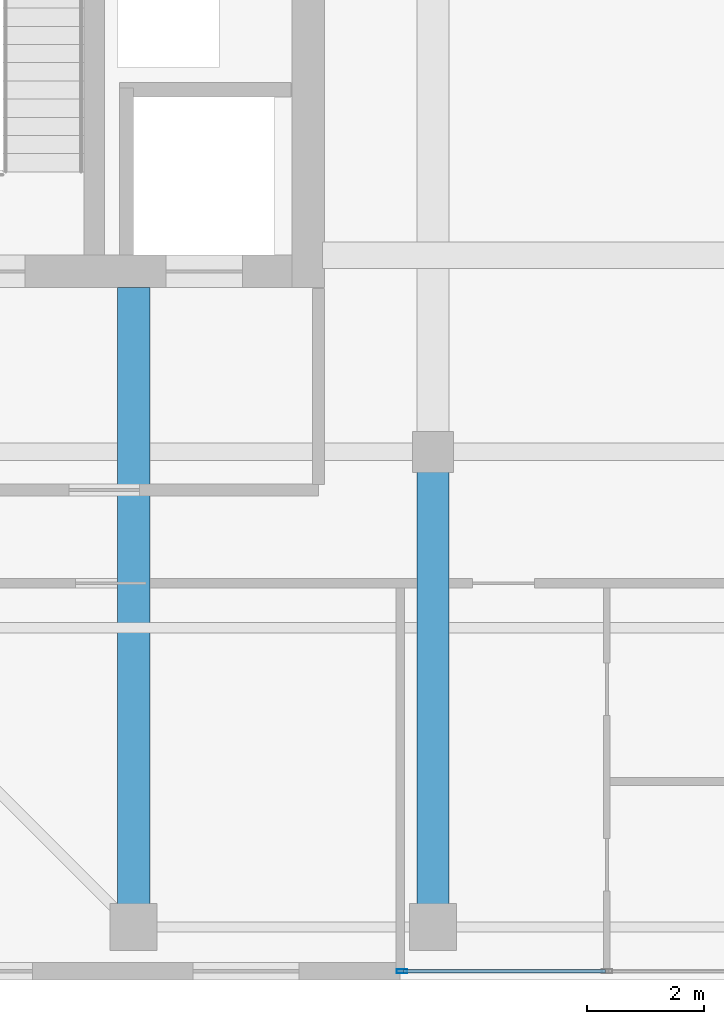
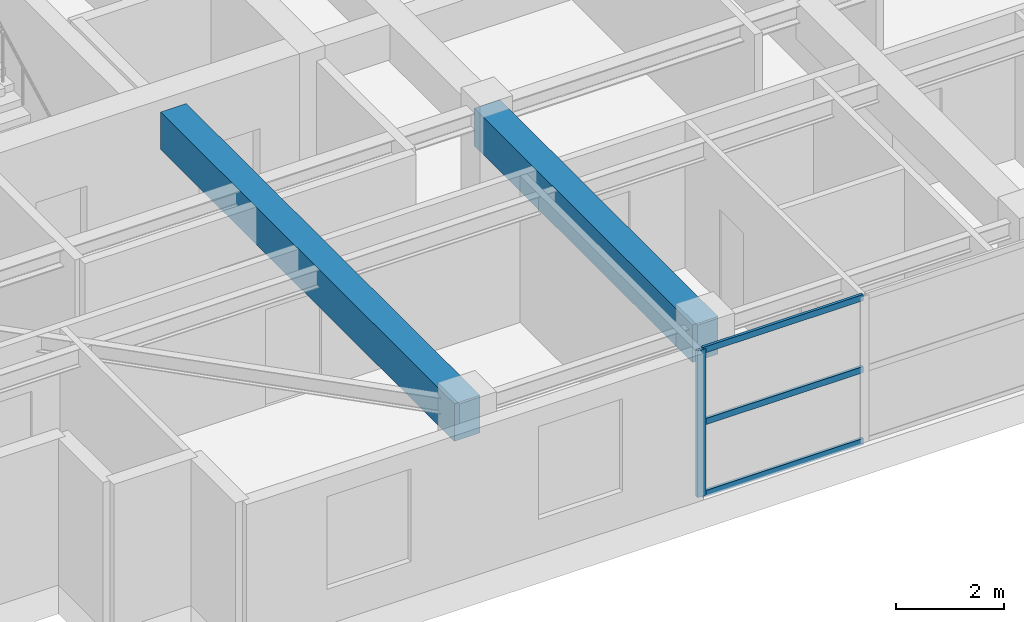
# One storey, part 2 of 21: 4 members, 2 beams, 1 element without a shape of its own.
"""IFC4 building model written with IfcOpenShell, lengths in metres."""

import ifcopenshell
import ifcopenshell.guid

model = None  # the IFC model being written
_history = None  # IfcOwnerHistory: only IFC2X3 demands one
_inside = {}  # id of a spatial element -> (the spatial element, [elements in it])
_under = {}  # id of a project, library or spatial element -> (it, [spatial elements below it])
_declared = {}  # id of a project -> (the project, [libraries it declares])
_typed = {}  # id of a type object -> (the type object, [elements of that type])
_made_of = {}  # id of a material, layer set ... -> (it, [elements and type objects made of it])


def new_model(schema):
    """Start an empty IFC model of exactly this schema.

    Asked for "IFC4X3", IfcOpenShell would pick the latest addendum, in which some entities
    have other attributes; the version numbers below select the first issue.
    IFC2X3 requires an IfcOwnerHistory on every rooted entity: one is made here for all.
    """
    global model, _history
    if schema == "IFC4X3":
        model = ifcopenshell.file(schema_version=(4, 3, 0, 0))
    else:
        model = ifcopenshell.file(schema=schema)
    _inside.clear()
    _under.clear()
    _declared.clear()
    _typed.clear()
    _made_of.clear()
    _history = None
    if model.schema == "IFC2X3":
        org = make("IfcOrganization", Name="unknown")
        user = make(
            "IfcPersonAndOrganization",
            ThePerson=make("IfcPerson", FamilyName="unknown"),
            TheOrganization=org,
        )
        app = make(
            "IfcApplication",
            ApplicationDeveloper=org,
            Version="unknown",
            ApplicationFullName="unknown",
            ApplicationIdentifier="unknown",
        )
        _history = make(
            "IfcOwnerHistory",
            OwningUser=user,
            OwningApplication=app,
            ChangeAction="ADDED",
            CreationDate=0,
        )
    return model


def make(cls, **values):
    """One entity of the class cls with the attributes given. An attribute that is None is left unset."""
    return model.create_entity(
        cls, **{name: value for name, value in values.items() if value is not None}
    )


def rooted(cls, **values):
    """An entity with a GlobalId (a new one), such as an element, a storey or a relation."""
    return make(cls, GlobalId=ifcopenshell.guid.new(), OwnerHistory=_history, **values)


def si_unit(unit_type, name, prefix=None):
    """IfcSIUnit, for example si_unit("LENGTHUNIT", "METRE", prefix="MILLI")."""
    return make("IfcSIUnit", UnitType=unit_type, Prefix=prefix, Name=name)


def assignment(units):
    """IfcUnitAssignment: the units of a project."""
    return None if units is None else make("IfcUnitAssignment", Units=units)


def point(xyz):
    """IfcCartesianPoint."""
    return None if xyz is None else make("IfcCartesianPoint", Coordinates=xyz)


def direction(xyz):
    """IfcDirection."""
    return None if xyz is None else make("IfcDirection", DirectionRatios=xyz)


def frame(location, z_axis=None, x_axis=None):
    """IfcAxis2Placement3D, a coordinate frame: its origin and axes. An axis left out is left unset."""
    return make(
        "IfcAxis2Placement3D",
        Location=point(location),
        Axis=direction(z_axis),
        RefDirection=direction(x_axis),
    )


def frame_2d(location, x_axis=None):
    """IfcAxis2Placement2D, a coordinate frame in the plane: its origin and x axis."""
    return make(
        "IfcAxis2Placement2D", Location=point(location), RefDirection=direction(x_axis)
    )


def origin():
    """The frame at (0, 0, 0) with its axes left unset."""
    return frame((0.0, 0.0, 0.0))


def origin_2d():
    """The frame at (0, 0) in the plane with its x axis left unset."""
    return frame_2d((0.0, 0.0))


def place(relative_to, where):
    """IfcLocalPlacement: puts the frame where relative to a parent placement (None: the world)."""
    return make(
        "IfcLocalPlacement", PlacementRelTo=relative_to, RelativePlacement=where
    )


def context(
    kind, dimensions, precision=None, world=None, true_north=None, identifier=None
):
    """IfcGeometricRepresentationContext, for example the 3D "Model" context."""
    return make(
        "IfcGeometricRepresentationContext",
        ContextIdentifier=identifier,
        ContextType=kind,
        CoordinateSpaceDimension=dimensions,
        Precision=precision,
        WorldCoordinateSystem=world,
        TrueNorth=true_north,
    )


def subcontext(parent, identifier, kind, view, scale=None):
    """IfcGeometricRepresentationSubContext, for example "Body" below "Model"."""
    return make(
        "IfcGeometricRepresentationSubContext",
        ContextIdentifier=identifier,
        ContextType=kind,
        ParentContext=parent,
        TargetScale=scale,
        TargetView=view,
    )


def project(units=None, contexts=None):
    """IfcProject with its units and contexts."""
    return rooted(
        "IfcProject",
        Name="project",
        RepresentationContexts=contexts,
        UnitsInContext=assignment(units),
    )


def spatial(cls, under=None, at=None, **own):
    """A site, building, storey or space (cls), placed at a placement, below another one or the project."""
    s = rooted(cls, ObjectPlacement=at, **own)
    if under is not None:
        _under.setdefault(under.id(), (under, []))[1].append(s)
    return s


def profile(cls, at=None, kind="AREA", **sizes):
    """A parametric profile (cls). Its sizes go by their IFC names, for example OverallWidth=200.0."""
    return make(cls, ProfileType=kind, Position=at, **sizes)


def rectangle(**sizes):
    """IfcRectangleProfileDef."""
    return profile("IfcRectangleProfileDef", **sizes)


def hollow_rectangle(**sizes):
    """IfcRectangleHollowProfileDef."""
    return profile("IfcRectangleHollowProfileDef", **sizes)


def extrude(swept, where, along, depth):
    """IfcExtrudedAreaSolid: the profile swept, set in the frame where, extruded along a direction by depth."""
    return make(
        "IfcExtrudedAreaSolid",
        SweptArea=swept,
        Position=where,
        ExtrudedDirection=direction(along),
        Depth=depth,
    )


def shape(context_of_items, identifier, shape_type, items):
    """IfcShapeRepresentation: the items that make up one representation, for example the "Body"."""
    return make(
        "IfcShapeRepresentation",
        ContextOfItems=context_of_items,
        RepresentationIdentifier=identifier,
        RepresentationType=shape_type,
        Items=items,
    )


def source(mapping_origin, context_of_items, identifier, shape_type, items):
    """IfcRepresentationMap: a shape defined once, which mapped items show again and again."""
    return make(
        "IfcRepresentationMap",
        MappingOrigin=mapping_origin,
        MappedRepresentation=shape(context_of_items, identifier, shape_type, items),
    )


def transform(
    local_origin,
    x_axis=None,
    y_axis=None,
    z_axis=None,
    scale=None,
    scale2=None,
    scale3=None,
    uniform=True,
):
    """IfcCartesianTransformationOperator3D, or its non-uniform kind. x_axis, y_axis, z_axis: its Axis1, 2, 3."""
    if uniform:
        return make(
            "IfcCartesianTransformationOperator3D",
            Axis1=direction(x_axis),
            Axis2=direction(y_axis),
            LocalOrigin=point(local_origin),
            Scale=scale,
            Axis3=direction(z_axis),
        )
    return make(
        "IfcCartesianTransformationOperator3DnonUniform",
        Axis1=direction(x_axis),
        Axis2=direction(y_axis),
        LocalOrigin=point(local_origin),
        Scale=scale,
        Axis3=direction(z_axis),
        Scale2=scale2,
        Scale3=scale3,
    )


def mapped(mapping_source, mapping_target):
    """IfcMappedItem: shows the shape of a source again, moved by a transform."""
    return make(
        "IfcMappedItem", MappingSource=mapping_source, MappingTarget=mapping_target
    )


def material(Name=None, Category=None):
    """IfcMaterial."""
    return make("IfcMaterial", Name=Name, Category=Category)


def layer(
    of_material, thickness, ventilated=None, Name=None, Category=None, Priority=None
):
    """IfcMaterialLayer: one layer of a wall or slab, of a material (None: an air gap)."""
    return make(
        "IfcMaterialLayer",
        Material=of_material,
        LayerThickness=thickness,
        IsVentilated=ventilated,
        Name=Name,
        Category=Category,
        Priority=Priority,
    )


def layer_set(layers, Name=None):
    """IfcMaterialLayerSet."""
    return make("IfcMaterialLayerSet", MaterialLayers=layers, LayerSetName=Name)


def material_profile(
    of_material, cross_section, Name=None, Category=None, Priority=None
):
    """IfcMaterialProfile: a cross section and its material."""
    return make(
        "IfcMaterialProfile",
        Name=Name,
        Material=of_material,
        Profile=cross_section,
        Priority=Priority,
        Category=Category,
    )


def profile_set(profiles, Name=None, composite=None):
    """IfcMaterialProfileSet."""
    return make(
        "IfcMaterialProfileSet",
        Name=Name,
        MaterialProfiles=profiles,
        CompositeProfile=composite,
    )


def made_of(thing, what):
    """Note that an element or type object is made of a material, layer set ...; save() writes the relation."""
    if what is not None:
        _made_of.setdefault(what.id(), (what, []))[1].append(thing)
    return thing


def type_object(cls, material=None, **own):
    """A type object (cls), such as IfcWallType, which elements share."""
    return made_of(rooted(cls, **own), material)


def element(
    cls,
    number,
    at=None,
    inside=None,
    cuts=None,
    type_object=None,
    material=None,
    context=None,
    identifier="Body",
    shape_type=None,
    held_by="IfcProductDefinitionShape",
    body=None,
    shapes=None,
    **own,
):
    """One element of the class cls, such as IfcWall. Its Tag is "e" and its number.

    at: its placement. inside: the storey or other place that contains it. cuts: it is an
    opening in that element (IfcRelVoidsElement). A single representation is given by context,
    identifier, shape_type and body (its items); several are given by shapes. held_by: the class
    of the entity that holds the representations. save() writes the other relations.
    """
    e = rooted(cls, Tag="e%d" % number, ObjectPlacement=at, **own)
    if body is not None:
        shapes = [shape(context, identifier, shape_type, body)]
    if shapes is not None:
        e.Representation = make(held_by, Representations=shapes)
    if inside is not None:
        _inside.setdefault(inside.id(), (inside, []))[1].append(e)
    if cuts is not None:
        rooted(
            "IfcRelVoidsElement", RelatingBuildingElement=cuts, RelatedOpeningElement=e
        )
    if type_object is not None:
        _typed.setdefault(type_object.id(), (type_object, []))[1].append(e)
    return made_of(e, material)


def aggregate(whole, parts):
    """IfcRelAggregates: a whole, such as a stair, and the parts it consists of."""
    return rooted("IfcRelAggregates", RelatingObject=whole, RelatedObjects=parts)


def save(model, path):
    """Write the relations noted so far, then the file.

    IfcRelAggregates (storeys below a building ...), IfcRelContainedInSpatialStructure (elements
    in a storey), IfcRelDefinesByType, IfcRelAssociatesMaterial and IfcRelDeclares: one each for
    every whole, place, type object, material and project.
    """
    for whole, parts in _under.values():
        aggregate(whole, parts)
    for where, things in _inside.values():
        rooted(
            "IfcRelContainedInSpatialStructure",
            RelatedElements=things,
            RelatingStructure=where,
        )
    for kind, things in _typed.values():
        rooted("IfcRelDefinesByType", RelatedObjects=things, RelatingType=kind)
    for what, things in _made_of.values():
        rooted("IfcRelAssociatesMaterial", RelatedObjects=things, RelatingMaterial=what)
    for by, libraries in _declared.values():
        rooted("IfcRelDeclares", RelatingContext=by, RelatedDefinitions=libraries)
    model.write(path)


model = new_model("IFC4")

# Units and contexts
model_context = context("Model", 3, precision=1e-05, world=origin(), true_north=direction((0.0, 1.0)))
body_context = subcontext(model_context, "Body", "Model", "MODEL_VIEW")
ifc_project = project(units=[si_unit("LENGTHUNIT", "METRE"), si_unit("AREAUNIT", "SQUARE_METRE"), si_unit("VOLUMEUNIT", "CUBIC_METRE"), si_unit("PLANEANGLEUNIT", "RADIAN"), si_unit("MASSUNIT", "GRAM", prefix="KILO")], contexts=[model_context])

# Site, building, storey
site_placement = place(None, origin())
site = spatial("IfcSite", under=ifc_project, at=site_placement, CompositionType="ELEMENT")
building_placement = place(site_placement, origin())
building = spatial("IfcBuilding", under=site, at=building_placement, Name="Khoralis Quay Care Tower", CompositionType="ELEMENT")
storey_placement = place(building_placement, frame((0.0, 0.0, 267.300048828125)))
storey = spatial("IfcBuildingStorey", under=building, at=storey_placement, Name="L70", CompositionType="ELEMENT", Elevation=267.300048828125)

# Beams
ifc_material_1 = material(Name="Concrete C50/60", Category="concrete")
ifc_material_profile_1 = material_profile(ifc_material_1, rectangle(XDim=0.550048828125, YDim=0.85009765625, at=origin_2d()), Name="Concrete C50/60")
ifc_profile_set_1 = profile_set([ifc_material_profile_1], Name="Concrete C50/60")
beam_type = type_object("IfcBeamType", Name="BM-RC550X850", PredefinedType="BEAM", material=ifc_profile_set_1)
shared_shape_1 = source(origin(), body_context, "Body", "SweptSolid", [
    extrude(rectangle(XDim=0.550048828125, YDim=0.85009765625, at=origin_2d()), origin(), (0.0, 0.0, 1.0), 10.902099609375),
])
beam_1_placement = place(storey_placement, frame((12.0, 3.89990234375, 2.89501953125), z_axis=(0.0, 1.0, 0.0), x_axis=(-1.0, 0.0, 0.0)))
element("IfcBeam", 1, at=beam_1_placement, inside=storey, type_object=beam_type, Name="BM-TGYS-L70-120", PredefinedType="BEAM", context=body_context, shape_type="MappedRepresentation", body=[
    mapped(shared_shape_1, transform((0.0, 0.0, 0.0), scale=1.0)),
])
shared_shape_2 = source(origin(), body_context, "Body", "SweptSolid", [
    extrude(rectangle(XDim=0.550048828125, YDim=0.85009765625, at=origin_2d()), origin(), (0.0, 0.0, 1.0), 8.10009765625),
])
beam_2_placement = place(storey_placement, frame((17.10009765625, 3.89990234375, 2.89501953125), z_axis=(0.0, 1.0, 0.0), x_axis=(-1.0, 0.0, 0.0)))
element("IfcBeam", 2, at=beam_2_placement, inside=storey, type_object=beam_type, Name="BM-TGYS-L70-171", PredefinedType="BEAM", context=body_context, shape_type="MappedRepresentation", body=[
    mapped(shared_shape_2, transform((0.0, 0.0, 0.0), scale=1.0)),
])

# Curtain wall, members
ifc_material_2 = material(Name="Pale anodised aluminium", Category="aluminium")
ifc_layer = layer(ifc_material_2, 0.159912109375)
ifc_layer_set = layer_set([ifc_layer], Name="Pale anodised aluminium")
curtain_wall_type = type_object("IfcCurtainWallType", Name="CW-SYS-Z3", PredefinedType="NOTDEFINED", material=ifc_layer_set)
curtain_wall_placement = place(storey_placement, origin())
curtain_wall = element("IfcCurtainWall", 3, at=curtain_wall_placement, inside=storey, type_object=curtain_wall_type, Name="L70 Unitised Curtain Wall CW-L70-P1-E0", PredefinedType="NOTDEFINED")
ifc_material_profile_2 = material_profile(ifc_material_2, hollow_rectangle(XDim=0.06494140625, YDim=0.179931640625, WallThickness=0.00390625, at=origin_2d()), Name="Pale anodised aluminium")
ifc_profile_set_2 = profile_set([ifc_material_profile_2], Name="Pale anodised aluminium")
member_type_1 = type_object("IfcMemberType", Name="CW-MUL-180", PredefinedType="MULLION", material=ifc_profile_set_2)
shared_shape_3 = source(origin(), body_context, "Body", "SweptSolid", [
    extrude(hollow_rectangle(XDim=0.06494140625, YDim=0.179931640625, WallThickness=0.00390625, at=origin_2d()), origin(), (0.0, 0.0, 1.0), 3.320068359375),
])
member_1_placement = place(storey_placement, frame((16.570068359375, 3.14990234375, 0.0), z_axis=(0.0, 0.0, 1.0), x_axis=(0.0, 1.0, 0.0)))
member_1 = element("IfcMember", 4, at=member_1_placement, type_object=member_type_1, Name="CW3 mullion 1", PredefinedType="MULLION", context=body_context, shape_type="MappedRepresentation", body=[
    mapped(shared_shape_3, transform((0.0, 0.0, 0.0), scale=1.0)),
])
ifc_material_profile_3 = material_profile(ifc_material_2, hollow_rectangle(XDim=0.06005859375, YDim=0.139892578125, WallThickness=0.00390625, at=origin_2d()), Name="Pale anodised aluminium")
ifc_profile_set_3 = profile_set([ifc_material_profile_3], Name="Pale anodised aluminium")
member_type_2 = type_object("IfcMemberType", Name="CW-TRN-140", PredefinedType="USERDEFINED", material=ifc_profile_set_3)
shared_shape_4 = source(origin(), body_context, "Body", "SweptSolid", [
    extrude(hollow_rectangle(XDim=0.06005859375, YDim=0.139892578125, WallThickness=0.00390625, at=origin_2d()), origin(), (0.0, 0.0, 1.0), 3.438232421875),
])
member_2_placement = place(storey_placement, frame((16.60009765625, 3.14990234375, 0.030029296875), z_axis=(1.0, 0.0, 0.0), x_axis=(0.0, 1.0, 0.0)))
member_2 = element("IfcMember", 5, at=member_2_placement, type_object=member_type_2, Name="CW3 transom 1.1", ObjectType="TRANSOM", PredefinedType="USERDEFINED", context=body_context, shape_type="MappedRepresentation", body=[
    mapped(shared_shape_4, transform((0.0, 0.0, 0.0), scale=1.0)),
])
member_3_placement = place(storey_placement, frame((16.60009765625, 3.14990234375, 1.659912109375), z_axis=(1.0, 0.0, 0.0), x_axis=(0.0, 1.0, 0.0)))
member_3 = element("IfcMember", 6, at=member_3_placement, type_object=member_type_2, Name="CW3 transom 1.2", ObjectType="TRANSOM", PredefinedType="USERDEFINED", context=body_context, shape_type="MappedRepresentation", body=[
    mapped(shared_shape_4, transform((0.0, 0.0, 0.0), scale=1.0)),
])
member_4_placement = place(storey_placement, frame((16.60009765625, 3.14990234375, 3.2900390625), z_axis=(1.0, 0.0, 0.0), x_axis=(0.0, 1.0, 0.0)))
member_4 = element("IfcMember", 7, at=member_4_placement, type_object=member_type_2, Name="CW3 transom 1.3", ObjectType="TRANSOM", PredefinedType="USERDEFINED", context=body_context, shape_type="MappedRepresentation", body=[
    mapped(shared_shape_4, transform((0.0, 0.0, 0.0), scale=1.0)),
])
aggregate(curtain_wall, [member_1, member_2, member_3, member_4])

save(model, "model.ifc")
